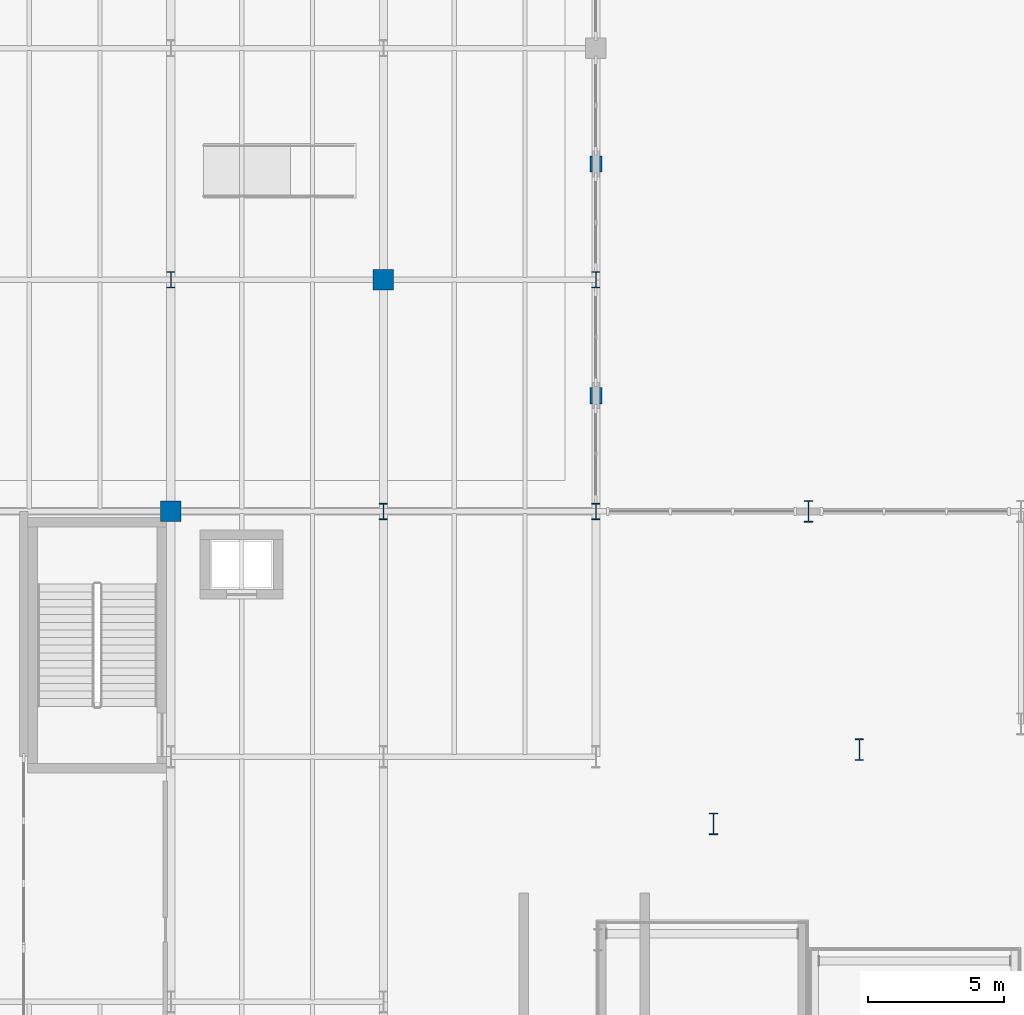
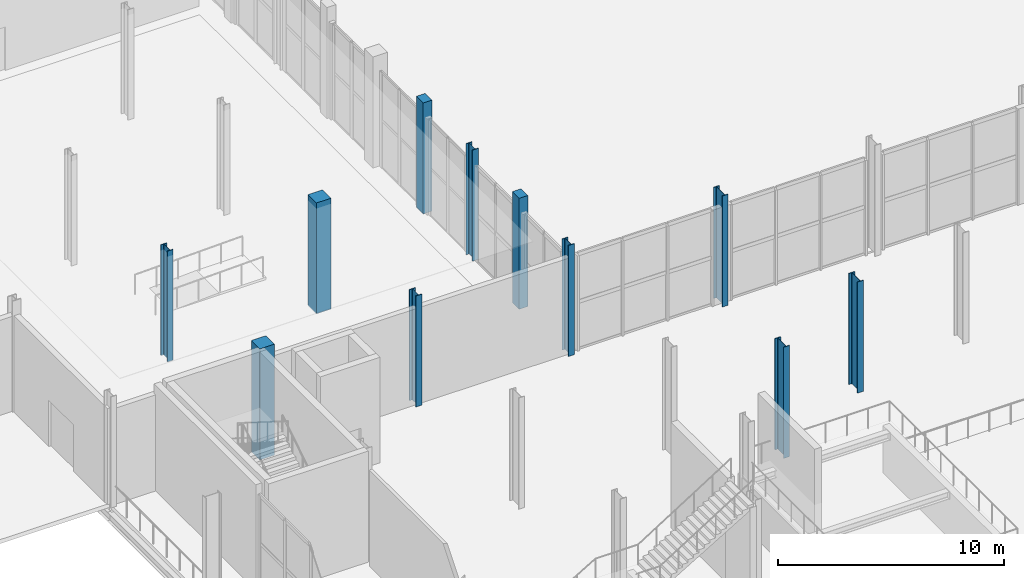
# One storey, part 3 of 84: 11 columns.
"""IFC4 building model written with IfcOpenShell, lengths in metres."""

from ifc_helpers import new_model, si_unit, direction, frame, origin, origin_2d, place, context, subcontext, project, spatial, rectangle, i_section, extrude, material, material_profile, profile_set, type_object, element, save


model = new_model("IFC4")

# Units and contexts
model_context = context("Model", 3, precision=1e-05, world=origin(), true_north=direction((0.0, 1.0)))
body_context = subcontext(model_context, "Body", "Model", "MODEL_VIEW")
ifc_project = project(units=[si_unit("LENGTHUNIT", "METRE"), si_unit("AREAUNIT", "SQUARE_METRE"), si_unit("VOLUMEUNIT", "CUBIC_METRE"), si_unit("PLANEANGLEUNIT", "RADIAN"), si_unit("MASSUNIT", "GRAM", prefix="KILO")], contexts=[model_context])

# Site, building, storey
site_placement = place(None, origin())
site = spatial("IfcSite", under=ifc_project, at=site_placement, CompositionType="ELEMENT")
building_placement = place(site_placement, origin())
building = spatial("IfcBuilding", under=site, at=building_placement, Name="Sefraquen Railside Congress Hotel", CompositionType="ELEMENT")
storey_placement = place(building_placement, origin())
storey = spatial("IfcBuildingStorey", under=building, at=storey_placement, Name="L00", CompositionType="ELEMENT", Elevation=0.0)

# Columns
ifc_material_1 = material(Name="Steel S355JR", Category="steel")
ifc_material_profile_1 = material_profile(ifc_material_1, i_section(OverallWidth=0.300048828125, OverallDepth=0.60009765625, WebThickness=0.015380859375, FlangeThickness=0.030029296875, FilletRadius=0.027099609375, at=origin_2d()), Name="HEB 600")
ifc_profile_set_1 = profile_set([ifc_material_profile_1], Name="Steel S355JR")
column_type_1 = type_object("IfcColumnType", Name="TC-HEB-600", PredefinedType="COLUMN", material=ifc_profile_set_1)
for number, where, z_axis, x_axis, name in (
    (1, (33.0, 62.5, 0.0), (0.0, 0.0, 1.0), (1.0, 0.0, 0.0), "Structural column 5-H L00"),
    (2, (40.800048828125, 54.0, 0.0), (0.0, 0.0, 1.0), (1.0, 0.0, 0.0), "Structural column 6-G L00"),
    (3, (48.60009765625, 54.0, 0.0), (0.0, 0.0, 1.0), (1.0, 0.0, 0.0), "Structural column 7-G L00"),
    (4, (48.60009765625, 62.5, 0.0), (0.0, 0.0, 1.0), (1.0, 0.0, 0.0), "Structural column 7-H L00"),
):
    element("IfcColumn", number, at=place(storey_placement, frame(where, z_axis=z_axis, x_axis=x_axis)), inside=storey, type_object=column_type_1, Name=name, PredefinedType="COLUMN", context=body_context, shape_type="SweptSolid", body=[
        extrude(i_section(OverallWidth=0.300048828125, OverallDepth=0.60009765625, WebThickness=0.015380859375, FlangeThickness=0.030029296875, FilletRadius=0.027099609375, at=origin_2d()), origin(), (0.0, 0.0, 1.0), 6.0),
    ])
ifc_material_profile_2 = material_profile(ifc_material_1, i_section(OverallWidth=0.300048828125, OverallDepth=0.800048828125, WebThickness=0.017578125, FlangeThickness=0.032958984375, FilletRadius=0.030029296875, at=origin_2d()), Name="HEB 800")
ifc_profile_set_2 = profile_set([ifc_material_profile_2], Name="Steel S355JR")
column_type_2 = type_object("IfcColumnType", Name="TC-HEB-800", PredefinedType="COLUMN", material=ifc_profile_set_2)
for number, where, z_axis, x_axis, name in (
    (5, (56.39990234375, 54.0, 0.0), (0.0, 0.0, 1.0), (1.0, 0.0, 0.0), "Structural column 8-G L00"),
    (6, (58.266845703125, 45.26025390625, 0.0), (0.0, 0.0, 1.0), (1.0, 0.0, 0.0), "Structural column DRM-07 L00"),
    (7, (52.91455078125, 42.533203125, 0.0), (0.0, 0.0, 1.0), (1.0, 0.0, 0.0), "Structural column DRM-08 L00"),
):
    element("IfcColumn", number, at=place(storey_placement, frame(where, z_axis=z_axis, x_axis=x_axis)), inside=storey, type_object=column_type_2, Name=name, PredefinedType="COLUMN", context=body_context, shape_type="SweptSolid", body=[
        extrude(i_section(OverallWidth=0.300048828125, OverallDepth=0.800048828125, WebThickness=0.017578125, FlangeThickness=0.032958984375, FilletRadius=0.030029296875, at=origin_2d()), origin(), (0.0, 0.0, 1.0), 6.0),
    ])
ifc_material_2 = material(Name="Concrete C50/60", Category="concrete")
ifc_material_profile_3 = material_profile(ifc_material_2, rectangle(XDim=0.449951171875, YDim=0.60009765625, at=origin_2d()), Name="RC 600x450")
ifc_profile_set_3 = profile_set([ifc_material_profile_3], Name="Concrete C50/60")
column_type_3 = type_object("IfcColumnType", Name="TC-PIL-600", PredefinedType="PILASTER", material=ifc_profile_set_3)
for number, where, z_axis, x_axis, name in (
    (8, (48.60009765625, 58.25, 0.0), (0.0, 0.0, 1.0), (1.0, 0.0, 0.0), "Courtyard limestone pilaster CPIL-W1 L00"),
    (9, (48.60009765625, 66.75, 0.0), (0.0, 0.0, 1.0), (1.0, 0.0, 0.0), "Courtyard limestone pilaster CPIL-W2 L00"),
):
    element("IfcColumn", number, at=place(storey_placement, frame(where, z_axis=z_axis, x_axis=x_axis)), inside=storey, type_object=column_type_3, Name=name, PredefinedType="PILASTER", context=body_context, shape_type="SweptSolid", body=[
        extrude(rectangle(XDim=0.449951171875, YDim=0.60009765625, at=origin_2d()), origin(), (0.0, 0.0, 1.0), 6.0),
    ])
ifc_material_profile_4 = material_profile(ifc_material_2, rectangle(XDim=0.75, YDim=0.75, at=origin_2d()), Name="RC 750x750")
ifc_profile_set_4 = profile_set([ifc_material_profile_4], Name="Concrete C50/60")
column_type_4 = type_object("IfcColumnType", Name="TC-RC-750", PredefinedType="COLUMN", material=ifc_profile_set_4)
for number, where, z_axis, x_axis, name in (
    (10, (33.0, 54.0, 0.0), (0.0, 0.0, 1.0), (1.0, 0.0, 0.0), "Structural column 5-G L00"),
    (11, (40.800048828125, 62.5, 0.0), (0.0, 0.0, 1.0), (1.0, 0.0, 0.0), "Structural column 6-H L00"),
):
    element("IfcColumn", number, at=place(storey_placement, frame(where, z_axis=z_axis, x_axis=x_axis)), inside=storey, type_object=column_type_4, Name=name, PredefinedType="COLUMN", context=body_context, shape_type="SweptSolid", body=[
        extrude(rectangle(XDim=0.75, YDim=0.75, at=origin_2d()), origin(), (0.0, 0.0, 1.0), 6.0),
    ])

save(model, "model.ifc")
